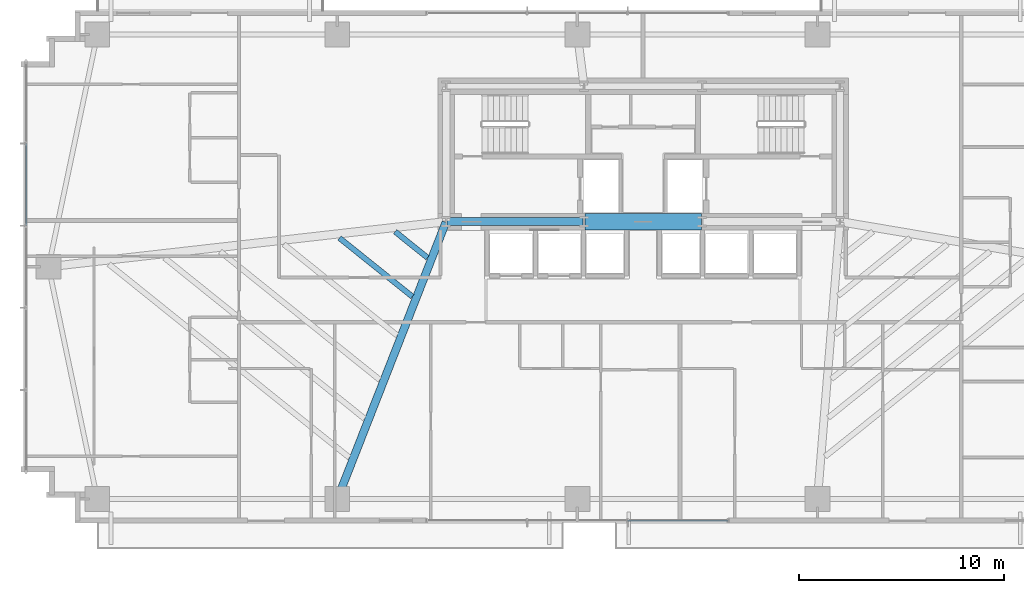
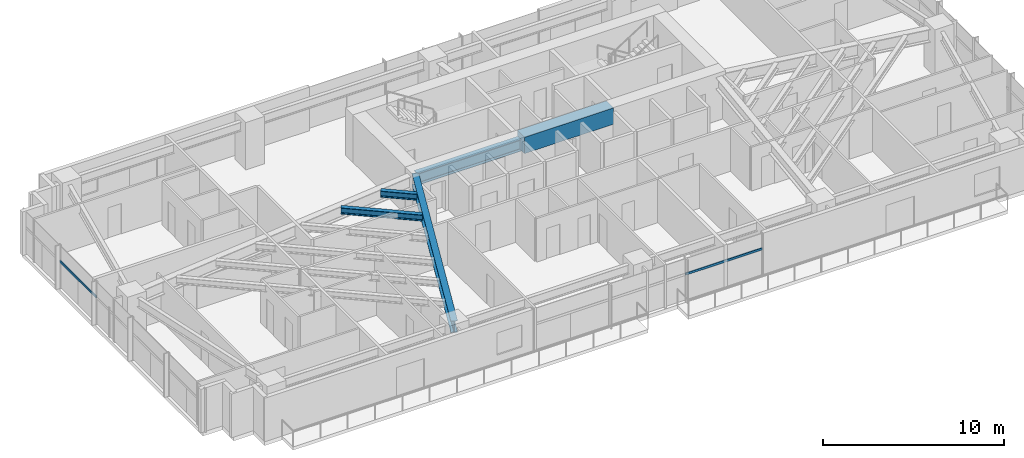
# One storey, part 7 of 25: 5 beams, 2 members, 2 elements without a shape of their own.
"""IFC4 building model written with IfcOpenShell, lengths in metres."""

from ifc_helpers import new_model, si_unit, direction, frame, origin, origin_2d, place, context, subcontext, project, spatial, rectangle, hollow_rectangle, i_section, extrude, source, transform, mapped, material, material_profile, profile_set, type_object, type_shapes, element, aggregate, save


model = new_model("IFC4")

# Units and contexts
model_context = context("Model", 3, precision=1e-05, world=origin(), true_north=direction((0.0, 1.0)))
body_context = subcontext(model_context, "Body", "Model", "MODEL_VIEW")
ifc_project = project(units=[si_unit("LENGTHUNIT", "METRE"), si_unit("AREAUNIT", "SQUARE_METRE"), si_unit("VOLUMEUNIT", "CUBIC_METRE"), si_unit("PLANEANGLEUNIT", "RADIAN"), si_unit("MASSUNIT", "GRAM", prefix="KILO")], contexts=[model_context])

# Site, building, storey
site_placement = place(None, origin())
site = spatial("IfcSite", under=ifc_project, at=site_placement, CompositionType="ELEMENT")
building_placement = place(site_placement, origin())
building = spatial("IfcBuilding", under=site, at=building_placement, Name="Astriad Promenade Condominiums", CompositionType="ELEMENT")
storey_placement = place(building_placement, frame((0.0, 0.0, 32.60009765625)))
storey = spatial("IfcBuildingStorey", under=building, at=storey_placement, Name="L08", CompositionType="ELEMENT", Elevation=32.60009765625)

# Beams
ifc_material_1 = material(Name="Steel ASTM A992 Grade 50", Category="steel")
ifc_material_profile_1 = material_profile(ifc_material_1, i_section(OverallWidth=0.3837890625, OverallDepth=0.785888671875, WebThickness=0.019775390625, FlangeThickness=0.033447265625, FilletRadius=0.021484375, at=origin_2d()), Name="W30X211")
ifc_profile_set_1 = profile_set([ifc_material_profile_1], Name="Steel ASTM A992 Grade 50")
beam_type_1 = type_object("IfcBeamType", Name="STEEL FLOOR GIRDER W30X211", PredefinedType="BEAM", material=ifc_profile_set_1)
shared_shape_1 = source(origin(), body_context, "Body", "SweptSolid", [
    extrude(i_section(OverallWidth=0.3837890625, OverallDepth=0.785888671875, WebThickness=0.019775390625, FlangeThickness=0.033447265625, FilletRadius=0.021484375, at=origin_2d()), origin(), (0.0, 0.0, 1.0), 6.64013671875),
])
beam_1_placement = place(storey_placement, frame((26.43994140625, 17.39990234375, 2.547119140625), z_axis=(1.0, 0.0, 0.0), x_axis=(0.0, 1.0, 0.0)))
element("IfcBeam", 1, at=beam_1_placement, inside=storey, type_object=beam_type_1, Name="Core Ring Beam CG-S1-L08", PredefinedType="BEAM", context=body_context, shape_type="MappedRepresentation", body=[
    mapped(shared_shape_1, transform((0.0, 0.0, 0.0), scale=1.0)),
])
ifc_material_2 = material(Name="Concrete C80/95", Category="concrete")
ifc_material_profile_2 = material_profile(ifc_material_2, rectangle(XDim=0.800048828125, YDim=1.10009765625, at=origin_2d()), Name="RC-BM-800X1100")
ifc_profile_set_2 = profile_set([ifc_material_profile_2], Name="Concrete C80/95")
beam_type_2 = type_object("IfcBeamType", Name="CONCRETE CORE COUPLING LINTEL 800X1100", PredefinedType="LINTEL", material=ifc_profile_set_2)
shared_shape_2 = source(origin(), body_context, "Body", "SweptSolid", [
    extrude(rectangle(XDim=0.800048828125, YDim=1.10009765625, at=origin_2d()), origin(), (0.0, 0.0, 1.0), 5.68017578125),
])
type_shapes(beam_type_2, [shared_shape_2])
beam_2_placement = place(storey_placement, frame((33.159912109375, 17.39990234375, 2.6298828125), z_axis=(1.0, 0.0, 0.0), x_axis=(0.0, 1.0, 0.0)))
element("IfcBeam", 2, at=beam_2_placement, inside=storey, type_object=beam_type_2, Name="Core Ring Beam CG-S2-L08", PredefinedType="LINTEL", context=body_context, shape_type="MappedRepresentation", body=[
    mapped(shared_shape_2, transform((0.0, 0.0, 0.0), scale=1.0)),
])
shared_shape_3 = source(origin(), body_context, "Body", "SweptSolid", [
    extrude(i_section(OverallWidth=0.3837890625, OverallDepth=0.785888671875, WebThickness=0.019775390625, FlangeThickness=0.033447265625, FilletRadius=0.021484375, at=origin_2d()), origin(), (0.0, 0.0, 1.0), 14.44189453125),
])
type_shapes(beam_type_1, [shared_shape_1, shared_shape_3])
beam_3_placement = place(storey_placement, frame((21.114501953125, 3.917236328125, 2.547119140625), z_axis=(0.364981228757, 0.931014877784, 0.0), x_axis=(-0.931014877784, 0.364981228757, 0.0)))
element("IfcBeam", 3, at=beam_3_placement, inside=storey, type_object=beam_type_1, Name="Primary Floor Girder PG-W2-L08", PredefinedType="BEAM", context=body_context, shape_type="MappedRepresentation", body=[
    mapped(shared_shape_3, transform((0.0, 0.0, 0.0), scale=1.0)),
])
ifc_material_profile_3 = material_profile(ifc_material_1, i_section(OverallWidth=0.26318359375, OverallDepth=0.425537109375, WebThickness=0.01318359375, FlangeThickness=0.022216796875, FilletRadius=0.013916015625, at=origin_2d()), Name="W16X89")
ifc_profile_set_3 = profile_set([ifc_material_profile_3], Name="Steel ASTM A992 Grade 50")
beam_type_3 = type_object("IfcBeamType", Name="STEEL FLOOR JOIST W16X89", PredefinedType="JOIST", material=ifc_profile_set_3)
shared_shape_4 = source(origin(), body_context, "Body", "SweptSolid", [
    extrude(i_section(OverallWidth=0.26318359375, OverallDepth=0.425537109375, WebThickness=0.01318359375, FlangeThickness=0.022216796875, FilletRadius=0.013916015625, at=origin_2d()), origin(), (0.0, 0.0, 1.0), 4.555419921875),
])
beam_4_placement = place(storey_placement, frame((21.201416015625, 16.600830078125, 2.72705078125), z_axis=(0.779365920634, -0.626569039894, 0.0), x_axis=(0.626569039894, 0.779365920634, 0.0)))
element("IfcBeam", 4, at=beam_4_placement, inside=storey, type_object=beam_type_3, Name="Secondary Composite Floor Joist JW1-5-L08", PredefinedType="JOIST", context=body_context, shape_type="MappedRepresentation", body=[
    mapped(shared_shape_4, transform((0.0, 0.0, 0.0), scale=1.0)),
])
shared_shape_5 = source(origin(), body_context, "Body", "SweptSolid", [
    extrude(i_section(OverallWidth=0.26318359375, OverallDepth=0.425537109375, WebThickness=0.01318359375, FlangeThickness=0.022216796875, FilletRadius=0.013916015625, at=origin_2d()), origin(), (0.0, 0.0, 1.0), 2.02587890625),
])
type_shapes(beam_type_3, [shared_shape_4, shared_shape_5])
beam_5_placement = place(storey_placement, frame((23.914794921875, 16.90869140625, 2.72705078125), z_axis=(0.779373362939, -0.626559782576, 0.0), x_axis=(0.626559782576, 0.779373362939, 0.0)))
element("IfcBeam", 5, at=beam_5_placement, inside=storey, type_object=beam_type_3, Name="Secondary Composite Floor Joist JW1-6-L08", PredefinedType="JOIST", context=body_context, shape_type="MappedRepresentation", body=[
    mapped(shared_shape_5, transform((0.0, 0.0, 0.0), scale=1.0)),
])

# Curtain wall, member
ifc_material_3 = material(Name="Anodised aluminium Black Dark Glass Unitised", Category="aluminium")
curtain_wall_type = type_object("IfcCurtainWallType", Name="CW-B1-DARK", PredefinedType="USERDEFINED", material=ifc_material_3)
curtain_wall_1_placement = place(storey_placement, origin())
curtain_wall_1 = element("IfcCurtainWall", 6, at=curtain_wall_1_placement, inside=storey, type_object=curtain_wall_type, Name="CW-L08-W", ObjectType="UNITISED_CURTAIN_WALL", PredefinedType="USERDEFINED")
ifc_material_4 = material(Name="Anodised aluminium 6063-T6 Black", Category="aluminium")
ifc_material_profile_4 = material_profile(ifc_material_4, hollow_rectangle(XDim=0.074951171875, YDim=0.14990234375, WallThickness=0.004150390625, at=origin_2d()), Name="ALU-TRN-75X150")
ifc_profile_set_4 = profile_set([ifc_material_profile_4], Name="Anodised aluminium 6063-T6 Black")
member_type = type_object("IfcMemberType", Name="TRN-ALU-TRN-75X150", PredefinedType="USERDEFINED", material=ifc_profile_set_4)
shared_shape_6 = source(origin(), body_context, "Body", "SweptSolid", [
    extrude(hollow_rectangle(XDim=0.074951171875, YDim=0.14990234375, WallThickness=0.004150390625, at=origin_2d()), origin(), (0.0, 0.0, 1.0), 4.0),
])
member_1_placement = place(storey_placement, frame((5.929931640625, 17.199951171875, 1.82275390625), z_axis=(0.0, 1.0, 0.0), x_axis=(-1.0, 0.0, 0.0)))
member_1 = element("IfcMember", 7, at=member_1_placement, type_object=member_type, Name="CW-L08-W-TRN-03-0", ObjectType="TRANSOM", PredefinedType="USERDEFINED", context=body_context, shape_type="MappedRepresentation", body=[
    mapped(shared_shape_6, transform((0.0, 0.0, 0.0), scale=1.0)),
])
aggregate(curtain_wall_1, [member_1])

curtain_wall_2_placement = place(storey_placement, origin())
curtain_wall_2 = element("IfcCurtainWall", 8, at=curtain_wall_2_placement, inside=storey, type_object=curtain_wall_type, Name="CW-L08-S", ObjectType="UNITISED_CURTAIN_WALL", PredefinedType="USERDEFINED")
shared_shape_7 = source(origin(), body_context, "Body", "SweptSolid", [
    extrude(hollow_rectangle(XDim=0.074951171875, YDim=0.14990234375, WallThickness=0.004150390625, at=origin_2d()), origin(), (0.0, 0.0, 1.0), 4.89990234375),
])
type_shapes(member_type, [shared_shape_6, shared_shape_7])
member_2_placement = place(storey_placement, frame((40.14990234375, 2.830078125, 1.82275390625), z_axis=(-1.0, 0.0, 0.0), x_axis=(0.0, -1.0, 0.0)))
member_2 = element("IfcMember", 9, at=member_2_placement, type_object=member_type, Name="CW-L08-S-TRN-00-0", ObjectType="TRANSOM", PredefinedType="USERDEFINED", context=body_context, shape_type="MappedRepresentation", body=[
    mapped(shared_shape_7, transform((0.0, 0.0, 0.0), scale=1.0)),
])
aggregate(curtain_wall_2, [member_2])

save(model, "model.ifc")
